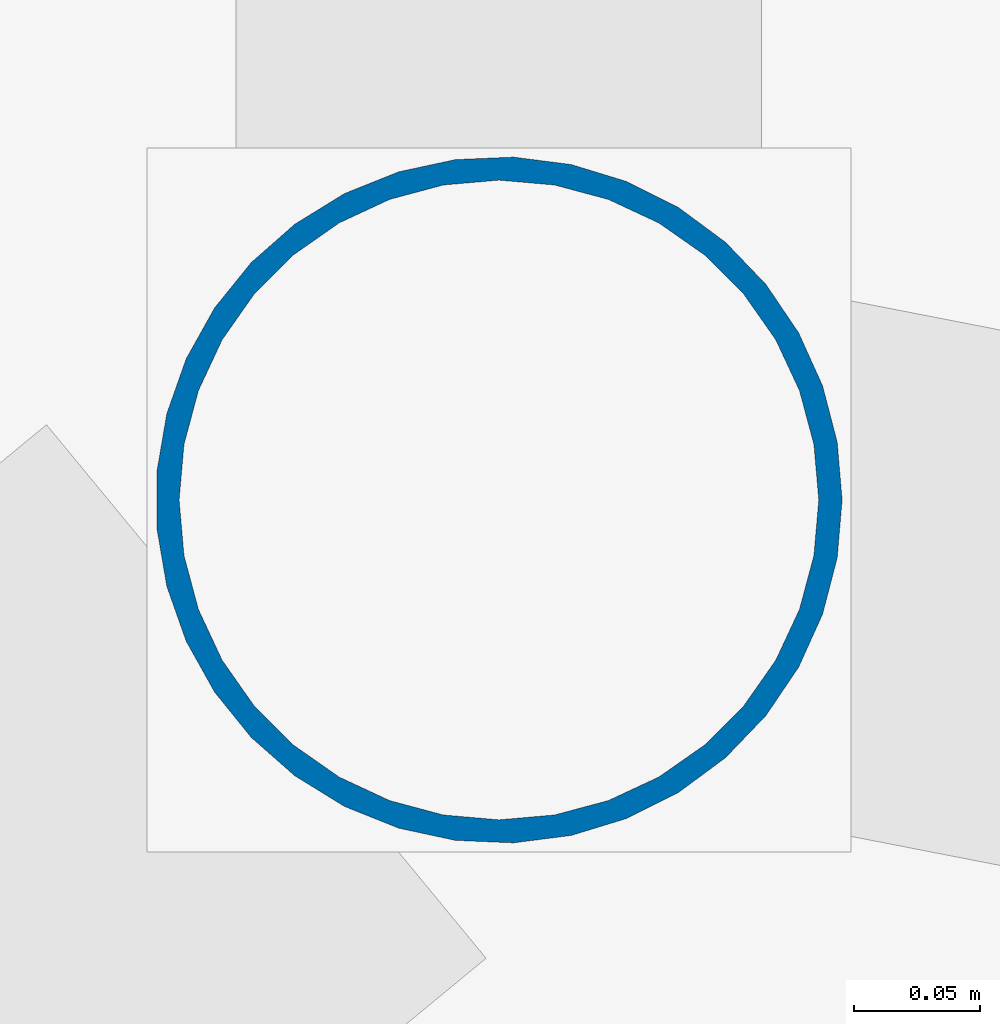
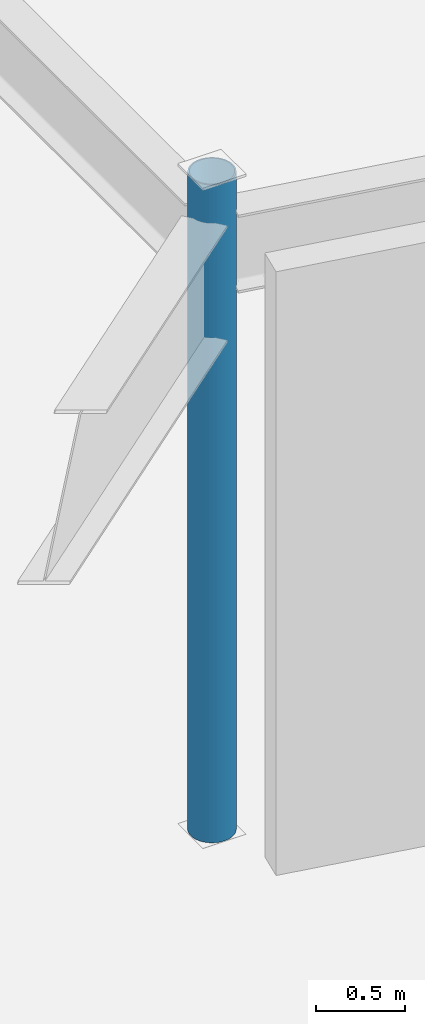
# One storey, part 7 of 69: 1 column.
"""IFC4 building model written with IfcOpenShell, lengths in metres."""

from ifc_helpers import new_model, si_unit, direction, frame, origin, origin_2d, place, context, subcontext, project, spatial, hollow_circle, extrude, material, material_profile, profile_set, type_object, element, save


model = new_model("IFC4")

# Units and contexts
model_context = context("Model", 3, precision=1e-05, world=origin(), true_north=direction((0.0, 1.0)))
body_context = subcontext(model_context, "Body", "Model", "MODEL_VIEW")
ifc_project = project(units=[si_unit("LENGTHUNIT", "METRE"), si_unit("AREAUNIT", "SQUARE_METRE"), si_unit("VOLUMEUNIT", "CUBIC_METRE"), si_unit("PLANEANGLEUNIT", "RADIAN"), si_unit("MASSUNIT", "GRAM", prefix="KILO")], contexts=[model_context])

# Site, building, storey
site_placement = place(None, origin())
site = spatial("IfcSite", under=ifc_project, at=site_placement, CompositionType="ELEMENT")
building_placement = place(site_placement, origin())
building = spatial("IfcBuilding", under=site, at=building_placement, Name="Sarnbrook Museum", CompositionType="ELEMENT")
storey_placement = place(building_placement, frame((0.0, 0.0, 14.60009765625)))
storey = spatial("IfcBuildingStorey", under=building, at=storey_placement, Name="L03", CompositionType="ELEMENT", Elevation=14.60009765625)

# Column
ifc_material = material(Name="Structural Steel Hollow Section Grade C350L0 (AS/NZS 1163, fy = 350 MPa)", Category="steel")
ifc_material_profile = material_profile(ifc_material, hollow_circle(Radius=0.136474609375, WallThickness=0.00927734375, at=origin_2d()), Name="273.1x9.3CHS")
ifc_profile_set = profile_set([ifc_material_profile], Name="Structural Steel Hollow Section Grade C350L0 (AS/NZS 1163, fy = 350 MPa)")
column_type = type_object("IfcColumnType", Name="COL-CHS273", PredefinedType="COLUMN", material=ifc_profile_set)
column_placement = place(storey_placement, frame((132.800048828125, 74.405029296875, 0.0), z_axis=(0.0, 0.0, 1.0), x_axis=(1.0, 0.0, 0.0)))
element("IfcColumn", 1, at=column_placement, inside=storey, type_object=column_type, Name="Crystal Gallery Feature Column R2-1 L03", PredefinedType="COLUMN", context=body_context, shape_type="SweptSolid", body=[
    extrude(hollow_circle(Radius=0.136474609375, WallThickness=0.00927734375, at=origin_2d()), origin(), (0.0, 0.0, 1.0), 4.5),
])

save(model, "model.ifc")
